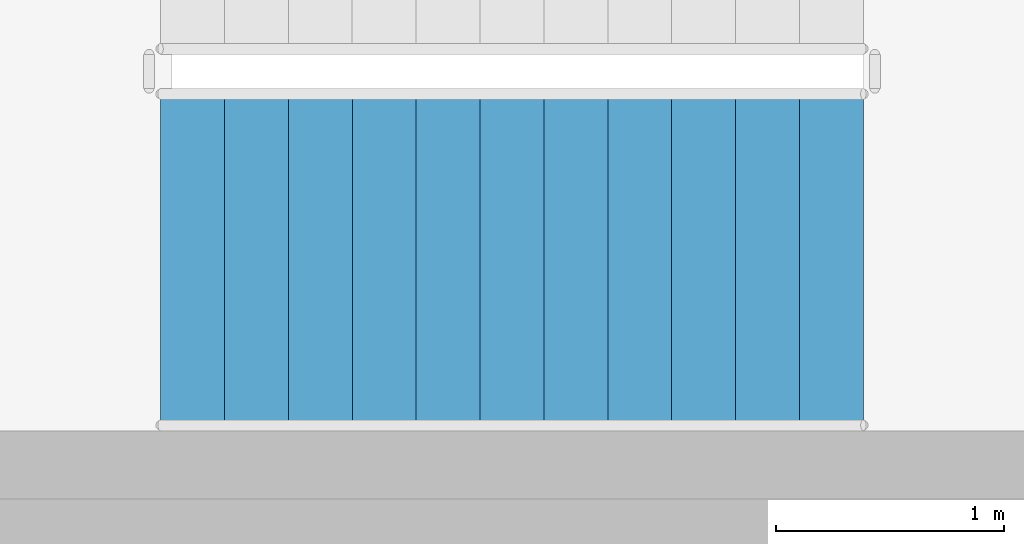
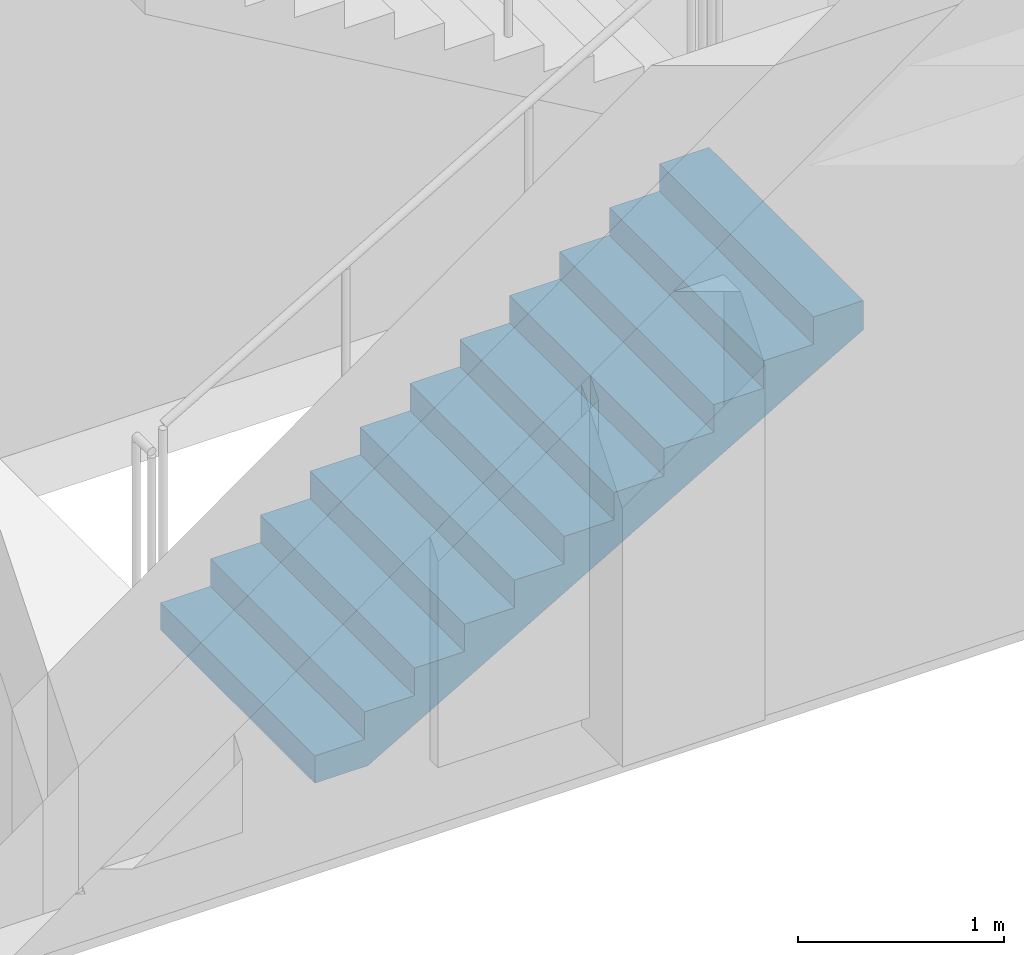
# One storey, part 13 of 17: 1 stair flight, 1 element without a shape of its own.
"""IFC4 building model written with IfcOpenShell, lengths in metres."""

from ifc_helpers import new_model, si_unit, direction, frame, origin, place, context, subcontext, project, spatial, triangles, material, type_object, element, aggregate, save


model = new_model("IFC4")

# Units and contexts
model_context = context("Model", 3, precision=1e-05, world=origin(), true_north=direction((0.0, 1.0)))
body_context = subcontext(model_context, "Body", "Model", "MODEL_VIEW")
ifc_project = project(units=[si_unit("LENGTHUNIT", "METRE"), si_unit("AREAUNIT", "SQUARE_METRE"), si_unit("VOLUMEUNIT", "CUBIC_METRE"), si_unit("PLANEANGLEUNIT", "RADIAN"), si_unit("MASSUNIT", "GRAM", prefix="KILO")], contexts=[model_context])

# Site, building, storey
site_placement = place(None, origin())
site = spatial("IfcSite", under=ifc_project, at=site_placement, CompositionType="ELEMENT")
building_placement = place(site_placement, origin())
building = spatial("IfcBuilding", under=site, at=building_placement, Name="Magnolia Steps Interchange", CompositionType="ELEMENT")
storey_placement = place(building_placement, frame((0.0, 0.0, 20.39990234375)))
storey = spatial("IfcBuildingStorey", under=building, at=storey_placement, Name="L05", CompositionType="ELEMENT", Elevation=20.39990234375)

# Stair, stair flight
ifc_material_1 = material(Name="Concrete C40", Category="concrete")
stair_type = type_object("IfcStairType", Name="Exit stair 1500", PredefinedType="HALF_TURN_STAIR", material=ifc_material_1)
stair_placement = place(storey_placement, origin())
stair = element("IfcStair", 1, at=stair_placement, inside=storey, type_object=stair_type, Name="L05 Stair 29", PredefinedType="HALF_TURN_STAIR")
ifc_material_2 = material(Name="Concrete C40", Category="concrete")
stair_flight_type = type_object("IfcStairFlightType", Name="Exit stair flight", PredefinedType="STRAIGHT", material=ifc_material_2)
stair_flight_placement = place(storey_placement, frame((112.85009765625, 97.60009765625, 0.0), z_axis=(0.0, 0.0, 1.0), x_axis=(1.0, 0.0, 0.0)))
stair_flight = element("IfcStairFlight", 2, at=stair_flight_placement, type_object=stair_flight_type, Name="Stair 29 flight 1", NumberOfRisers=12, NumberOfTreads=11, PredefinedType="STRAIGHT", RiserHeight=0.1625, TreadLength=0.28, context=body_context, shape_type="Tessellation", body=[
    triangles([(0.0, -0.75, 0.0), (0.298583984375, -0.75, 0.0), (3.080078125, -0.75, 1.6142578125), (3.080078125, -0.75, 1.78759765625), (2.800048828125, -0.75, 1.78759765625), (2.800048828125, -0.75, 1.625), (2.52001953125, -0.75, 1.625), (2.52001953125, -0.75, 1.46240234375), (2.239990234375, -0.75, 1.46240234375), (2.239990234375, -0.75, 1.300048828125), (1.9599609375, -0.75, 1.300048828125), (1.9599609375, -0.75, 1.137451171875), (1.679931640625, -0.75, 1.137451171875), (1.679931640625, -0.75, 0.97509765625), (1.39990234375, -0.75, 0.97509765625), (1.39990234375, -0.75, 0.8125), (1.1201171875, -0.75, 0.8125), (1.1201171875, -0.75, 0.64990234375), (0.840087890625, -0.75, 0.64990234375), (0.840087890625, -0.75, 0.487548828125), (0.56005859375, -0.75, 0.487548828125), (0.56005859375, -0.75, 0.324951171875), (0.280029296875, -0.75, 0.324951171875), (0.280029296875, -0.75, 0.16259765625), (0.0, -0.75, 0.16259765625), (0.0, 0.75, 0.0), (0.298583984375, 0.75, 0.0), (3.080078125, 0.75, 1.6142578125), (3.080078125, 0.75, 1.78759765625), (2.800048828125, 0.75, 1.78759765625), (2.800048828125, 0.75, 1.625), (2.52001953125, 0.75, 1.625), (2.52001953125, 0.75, 1.46240234375), (2.239990234375, 0.75, 1.46240234375), (2.239990234375, 0.75, 1.300048828125), (1.9599609375, 0.75, 1.300048828125), (1.9599609375, 0.75, 1.137451171875), (1.679931640625, 0.75, 1.137451171875), (1.679931640625, 0.75, 0.97509765625), (1.39990234375, 0.75, 0.97509765625), (1.39990234375, 0.75, 0.8125), (1.1201171875, 0.75, 0.8125), (1.1201171875, 0.75, 0.64990234375), (0.840087890625, 0.75, 0.64990234375), (0.840087890625, 0.75, 0.487548828125), (0.56005859375, 0.75, 0.487548828125), (0.56005859375, 0.75, 0.324951171875), (0.280029296875, 0.75, 0.324951171875), (0.280029296875, 0.75, 0.16259765625), (0.0, 0.75, 0.16259765625), (0.0, 0.0, 0.0), (0.0, 0.0, 0.0406494140625), (0.0, 0.0, 0.081298828125), (0.0, 0.0, 0.1219482421875), (0.0, 0.0, 0.16259765625), (0.0, -0.05, 0.0), (0.0, -0.05, 0.16259765625), (0.0, 0.05, 0.0), (0.0, 0.05, 0.16259765625), (0.046671549479166664, 0.0, 0.16259765625), (0.09334309895833333, 0.0, 0.16259765625), (0.1400146484375, 0.0, 0.16259765625), (0.18668619791666666, 0.0, 0.16259765625), (0.23335774739583334, 0.0, 0.16259765625), (0.280029296875, 0.0, 0.16259765625), (0.280029296875, -0.05, 0.16259765625), (0.280029296875, 0.05, 0.16259765625), (0.280029296875, 0.0, 0.20318603515625), (0.280029296875, 0.0, 0.2437744140625), (0.280029296875, 0.0, 0.28436279296875), (0.280029296875, 0.0, 0.324951171875), (0.280029296875, -0.05, 0.324951171875), (0.280029296875, 0.05, 0.324951171875), (0.3267008463541667, 0.0, 0.324951171875), (0.3733723958333333, 0.0, 0.324951171875), (0.4200439453125, 0.0, 0.324951171875), (0.46671549479166663, 0.0, 0.324951171875), (0.5133870442708334, 0.0, 0.324951171875), (0.56005859375, 0.0, 0.324951171875), (0.56005859375, -0.05, 0.324951171875), (0.56005859375, 0.05, 0.324951171875), (0.56005859375, 0.0, 0.3656005859375), (0.56005859375, 0.0, 0.40625), (0.56005859375, 0.0, 0.4468994140625), (0.56005859375, 0.0, 0.487548828125), (0.56005859375, -0.05, 0.487548828125), (0.56005859375, 0.05, 0.487548828125), (0.6067301432291666, 0.0, 0.487548828125), (0.6534016927083334, 0.0, 0.487548828125), (0.7000732421875, 0.0, 0.487548828125), (0.7467447916666666, 0.0, 0.487548828125), (0.7934163411458334, 0.0, 0.487548828125), (0.840087890625, 0.0, 0.487548828125), (0.840087890625, -0.05, 0.487548828125), (0.840087890625, 0.05, 0.487548828125), (0.840087890625, 0.0, 0.52813720703125), (0.840087890625, 0.0, 0.5687255859375), (0.840087890625, 0.0, 0.60931396484375), (0.840087890625, 0.0, 0.64990234375), (0.840087890625, -0.05, 0.64990234375), (0.840087890625, 0.05, 0.64990234375), (0.8867594401041666, 0.0, 0.64990234375), (0.9334309895833334, 0.0, 0.64990234375), (0.9801025390625, 0.0, 0.64990234375), (1.0267740885416667, 0.0, 0.64990234375), (1.0734456380208333, 0.0, 0.64990234375), (1.1201171875, 0.0, 0.64990234375), (1.1201171875, -0.05, 0.64990234375), (1.1201171875, 0.05, 0.64990234375), (1.1201171875, 0.0, 0.6905517578125), (1.1201171875, 0.0, 0.731201171875), (1.1201171875, 0.0, 0.7718505859375), (1.1201171875, 0.0, 0.8125), (1.1201171875, -0.05, 0.8125), (1.1201171875, 0.05, 0.8125), (1.1900634765625, 0.0, 0.8125), (1.260009765625, 0.0, 0.8125), (1.3299560546875, 0.0, 0.8125), (1.39990234375, 0.0, 0.8125), (1.39990234375, -0.05, 0.8125), (1.39990234375, 0.05, 0.8125), (1.39990234375, 0.0, 0.8531494140625), (1.39990234375, 0.0, 0.893798828125), (1.39990234375, 0.0, 0.9344482421875), (1.39990234375, 0.0, 0.97509765625), (1.39990234375, -0.05, 0.97509765625), (1.39990234375, 0.05, 0.97509765625), (1.4465738932291667, 0.0, 0.97509765625), (1.4932454427083333, 0.0, 0.97509765625), (1.5399169921875, 0.0, 0.97509765625), (1.5865885416666667, 0.0, 0.97509765625), (1.6332600911458333, 0.0, 0.97509765625), (1.679931640625, 0.0, 0.97509765625), (1.679931640625, -0.05, 0.97509765625), (1.679931640625, 0.05, 0.97509765625), (1.679931640625, 0.0, 1.01568603515625), (1.679931640625, 0.0, 1.0562744140625), (1.679931640625, 0.0, 1.09686279296875), (1.679931640625, 0.0, 1.137451171875), (1.679931640625, -0.05, 1.137451171875), (1.679931640625, 0.05, 1.137451171875), (1.7266031901041667, 0.0, 1.137451171875), (1.7732747395833333, 0.0, 1.137451171875), (1.8199462890625, 0.0, 1.137451171875), (1.8666178385416667, 0.0, 1.137451171875), (1.9132893880208333, 0.0, 1.137451171875), (1.9599609375, 0.0, 1.137451171875), (1.9599609375, -0.05, 1.137451171875), (1.9599609375, 0.05, 1.137451171875), (1.9599609375, 0.0, 1.1781005859375), (1.9599609375, 0.0, 1.21875), (1.9599609375, 0.0, 1.2593994140625), (1.9599609375, 0.0, 1.300048828125), (1.9599609375, -0.05, 1.300048828125), (1.9599609375, 0.05, 1.300048828125), (2.0066324869791665, 0.0, 1.300048828125), (2.0533040364583335, 0.0, 1.300048828125), (2.0999755859375, 0.0, 1.300048828125), (2.1466471354166665, 0.0, 1.300048828125), (2.1933186848958335, 0.0, 1.300048828125), (2.239990234375, 0.0, 1.300048828125), (2.239990234375, -0.05, 1.300048828125), (2.239990234375, 0.05, 1.300048828125), (2.239990234375, 0.0, 1.34063720703125), (2.239990234375, 0.0, 1.3812255859375), (2.239990234375, 0.0, 1.42181396484375), (2.239990234375, 0.0, 1.46240234375), (2.239990234375, -0.05, 1.46240234375), (2.239990234375, 0.05, 1.46240234375), (2.2866617838541665, 0.0, 1.46240234375), (2.3333333333333335, 0.0, 1.46240234375), (2.3800048828125, 0.0, 1.46240234375), (2.4266764322916665, 0.0, 1.46240234375), (2.4733479817708335, 0.0, 1.46240234375), (2.52001953125, 0.0, 1.46240234375), (2.52001953125, -0.05, 1.46240234375), (2.52001953125, 0.05, 1.46240234375), (2.52001953125, 0.0, 1.5030517578125), (2.52001953125, 0.0, 1.543701171875), (2.52001953125, 0.0, 1.5843505859375), (2.52001953125, 0.0, 1.625), (2.52001953125, -0.05, 1.625), (2.52001953125, 0.05, 1.625), (2.5666910807291665, 0.0, 1.625), (2.6133626302083335, 0.0, 1.625), (2.6600341796875, 0.0, 1.625), (2.7067057291666665, 0.0, 1.625), (2.7533772786458335, 0.0, 1.625), (2.800048828125, 0.0, 1.625), (2.800048828125, -0.05, 1.625), (2.800048828125, 0.05, 1.625), (2.800048828125, 0.0, 1.6656494140625), (2.800048828125, 0.0, 1.706298828125), (2.800048828125, 0.0, 1.7469482421875), (2.800048828125, 0.0, 1.78759765625), (2.800048828125, -0.05, 1.78759765625), (2.800048828125, 0.05, 1.78759765625), (2.8467203776041665, 0.0, 1.78759765625), (2.8933919270833335, 0.0, 1.78759765625), (2.9400634765625, 0.0, 1.78759765625), (2.9867350260416665, 0.0, 1.78759765625), (3.0334065755208335, 0.0, 1.78759765625), (3.080078125, 0.0, 1.78759765625), (3.080078125, -0.05, 1.78759765625), (3.080078125, 0.05, 1.78759765625), (3.080078125, 0.0, 1.7442626953125), (3.080078125, 0.0, 1.700927734375), (3.080078125, 0.0, 1.6575927734375), (3.080078125, 0.0, 1.6142578125), (3.080078125, -0.05, 1.6142578125), (3.080078125, 0.05, 1.6142578125), (3.0196108610733696, 0.0, 1.5791652513586956), (2.9591435971467392, 0.0, 1.5440726902173914), (2.898676333220109, 0.0, 1.508980129076087), (2.8382090692934785, 0.0, 1.4738875679347827), (2.7777418053668477, 0.0, 1.4387950067934783), (2.7172745414402173, 0.0, 1.4037024456521738), (2.656807277513587, 0.0, 1.3686098845108696), (2.5963400135869565, 0.0, 1.3335173233695652), (2.535872749660326, 0.0, 1.2984247622282608), (2.475405485733696, 0.0, 1.2633322010869565), (2.4149382218070654, 0.0, 1.228239639945652), (2.3544709578804346, 0.0, 1.193147078804348), (2.294003693953804, 0.0, 1.1580545176630435), (2.233536430027174, 0.0, 1.1229619565217392), (2.1730691661005435, 0.0, 1.0878693953804348), (2.112601902173913, 0.0, 1.0527768342391304), (2.0521346382472827, 0.0, 1.0176842730978262), (1.991667374320652, 0.0, 0.9825917119565217), (1.9312001103940217, 0.0, 0.9474991508152174), (1.8707328464673914, 0.0, 0.9124065896739131), (1.810265582540761, 0.0, 0.8773140285326086), (1.7497983186141304, 0.0, 0.8422214673913043), (1.6893310546875, 0.0, 0.80712890625), (1.6288637907608696, 0.0, 0.7720363451086957), (1.568396526834239, 0.0, 0.7369437839673914), (1.5079292629076086, 0.0, 0.7018512228260869), (1.4474619989809783, 0.0, 0.6667586616847826), (1.386994735054348, 0.0, 0.6316661005434783), (1.3265274711277173, 0.0, 0.5965735394021738), (1.266060207201087, 0.0, 0.5614809782608696), (1.2055929432744565, 0.0, 0.5263884171195652), (1.1451256793478262, 0.0, 0.491295855978261), (1.0846584154211956, 0.0, 0.45620329483695654), (1.0241911514945654, 0.0, 0.4211107336956521), (0.9637238875679346, 0.0, 0.3860181725543479), (0.9032566236413042, 0.0, 0.35092561141304346), (0.8427893597146738, 0.0, 0.315833050271739), (0.7823220957880435, 0.0, 0.2807404891304348), (0.7218548318614131, 0.0, 0.24564792798913038), (0.6613875679347827, 0.0, 0.21055536684782616), (0.6009203040081523, 0.0, 0.17546280570652173), (0.540453040081522, 0.0, 0.1403702445652173), (0.47998577615489113, 0.0, 0.10527768342391308), (0.41951851222826075, 0.0, 0.07018512228260865), (0.3590512483016304, 0.0, 0.035092561141304435), (0.298583984375, 0.0, 0.0), (0.298583984375, -0.05, 0.0), (0.298583984375, 0.05, 0.0), (0.24881998697916666, 0.0, 0.0), (0.19905598958333331, 0.0, 0.0), (0.1492919921875, 0.0, 0.0), (0.09952799479166666, 0.0, 0.0), (0.04976399739583334, 0.0, 0.0)], [[1, 2, 3], [3, 4, 5], [3, 5, 6], [3, 6, 7], [3, 7, 8], [8, 9, 10], [3, 8, 10], [10, 11, 12], [3, 10, 12], [12, 13, 14], [3, 12, 14], [14, 15, 16], [3, 14, 16], [16, 17, 18], [3, 16, 18], [18, 19, 20], [3, 18, 20], [20, 21, 22], [3, 20, 22], [1, 3, 22], [22, 23, 24], [1, 22, 24], [24, 25, 1], [26, 28, 27], [28, 30, 29], [28, 31, 30], [28, 32, 31], [28, 33, 32], [33, 35, 34], [28, 35, 33], [35, 37, 36], [28, 37, 35], [37, 39, 38], [28, 39, 37], [39, 41, 40], [28, 41, 39], [41, 43, 42], [28, 43, 41], [43, 45, 44], [28, 45, 43], [45, 47, 46], [28, 47, 45], [26, 47, 28], [47, 49, 48], [26, 49, 47], [49, 26, 50], [1, 25, 57], [1, 57, 56], [56, 52, 51], [56, 53, 52], [56, 57, 53], [57, 54, 53], [57, 55, 54], [26, 59, 50], [26, 58, 59], [58, 51, 52], [58, 52, 53], [58, 53, 59], [59, 53, 54], [59, 54, 55], [25, 24, 66], [25, 66, 57], [57, 60, 55], [57, 61, 60], [57, 62, 61], [57, 66, 62], [66, 63, 62], [66, 64, 63], [66, 65, 64], [50, 67, 49], [50, 59, 67], [59, 55, 60], [59, 60, 61], [59, 61, 62], [59, 62, 67], [67, 62, 63], [67, 63, 64], [67, 64, 65], [24, 23, 72], [24, 72, 66], [66, 68, 65], [66, 69, 68], [66, 72, 69], [72, 70, 69], [72, 71, 70], [49, 73, 48], [49, 67, 73], [67, 65, 68], [67, 68, 69], [67, 69, 73], [73, 69, 70], [73, 70, 71], [23, 22, 80], [23, 80, 72], [72, 74, 71], [72, 75, 74], [72, 76, 75], [72, 80, 76], [80, 77, 76], [80, 78, 77], [80, 79, 78], [48, 81, 47], [48, 73, 81], [73, 71, 74], [73, 74, 75], [73, 75, 76], [73, 76, 81], [81, 76, 77], [81, 77, 78], [81, 78, 79], [22, 21, 86], [22, 86, 80], [80, 82, 79], [80, 83, 82], [80, 86, 83], [86, 84, 83], [86, 85, 84], [47, 87, 46], [47, 81, 87], [81, 79, 82], [81, 82, 83], [81, 83, 87], [87, 83, 84], [87, 84, 85], [21, 20, 94], [21, 94, 86], [86, 88, 85], [86, 89, 88], [86, 90, 89], [86, 94, 90], [94, 91, 90], [94, 92, 91], [94, 93, 92], [46, 95, 45], [46, 87, 95], [87, 85, 88], [87, 88, 89], [87, 89, 90], [87, 90, 95], [95, 90, 91], [95, 91, 92], [95, 92, 93], [20, 19, 100], [20, 100, 94], [94, 96, 93], [94, 97, 96], [94, 100, 97], [100, 98, 97], [100, 99, 98], [45, 101, 44], [45, 95, 101], [95, 93, 96], [95, 96, 97], [95, 97, 101], [101, 97, 98], [101, 98, 99], [19, 18, 108], [19, 108, 100], [100, 102, 99], [100, 103, 102], [100, 104, 103], [100, 108, 104], [108, 105, 104], [108, 106, 105], [108, 107, 106], [44, 109, 43], [44, 101, 109], [101, 99, 102], [101, 102, 103], [101, 103, 104], [101, 104, 109], [109, 104, 105], [109, 105, 106], [109, 106, 107], [18, 17, 114], [18, 114, 108], [108, 110, 107], [108, 111, 110], [108, 114, 111], [114, 112, 111], [114, 113, 112], [43, 115, 42], [43, 109, 115], [109, 107, 110], [109, 110, 111], [109, 111, 115], [115, 111, 112], [115, 112, 113], [17, 16, 120], [17, 120, 114], [114, 116, 113], [114, 117, 116], [114, 120, 117], [120, 118, 117], [120, 119, 118], [42, 121, 41], [42, 115, 121], [115, 113, 116], [115, 116, 117], [115, 117, 121], [121, 117, 118], [121, 118, 119], [16, 15, 126], [16, 126, 120], [120, 122, 119], [120, 123, 122], [120, 126, 123], [126, 124, 123], [126, 125, 124], [41, 127, 40], [41, 121, 127], [121, 119, 122], [121, 122, 123], [121, 123, 127], [127, 123, 124], [127, 124, 125], [15, 14, 134], [15, 134, 126], [126, 128, 125], [126, 129, 128], [126, 130, 129], [126, 134, 130], [134, 131, 130], [134, 132, 131], [134, 133, 132], [40, 135, 39], [40, 127, 135], [127, 125, 128], [127, 128, 129], [127, 129, 130], [127, 130, 135], [135, 130, 131], [135, 131, 132], [135, 132, 133], [14, 13, 140], [14, 140, 134], [134, 136, 133], [134, 137, 136], [134, 140, 137], [140, 138, 137], [140, 139, 138], [39, 141, 38], [39, 135, 141], [135, 133, 136], [135, 136, 137], [135, 137, 141], [141, 137, 138], [141, 138, 139], [13, 12, 148], [13, 148, 140], [140, 142, 139], [140, 143, 142], [140, 144, 143], [140, 148, 144], [148, 145, 144], [148, 146, 145], [148, 147, 146], [38, 149, 37], [38, 141, 149], [141, 139, 142], [141, 142, 143], [141, 143, 144], [141, 144, 149], [149, 144, 145], [149, 145, 146], [149, 146, 147], [12, 11, 154], [12, 154, 148], [148, 150, 147], [148, 151, 150], [148, 154, 151], [154, 152, 151], [154, 153, 152], [37, 155, 36], [37, 149, 155], [149, 147, 150], [149, 150, 151], [149, 151, 155], [155, 151, 152], [155, 152, 153], [11, 10, 162], [11, 162, 154], [154, 156, 153], [154, 157, 156], [154, 158, 157], [154, 162, 158], [162, 159, 158], [162, 160, 159], [162, 161, 160], [36, 163, 35], [36, 155, 163], [155, 153, 156], [155, 156, 157], [155, 157, 158], [155, 158, 163], [163, 158, 159], [163, 159, 160], [163, 160, 161], [10, 9, 168], [10, 168, 162], [162, 164, 161], [162, 165, 164], [162, 168, 165], [168, 166, 165], [168, 167, 166], [35, 169, 34], [35, 163, 169], [163, 161, 164], [163, 164, 165], [163, 165, 169], [169, 165, 166], [169, 166, 167], [9, 8, 176], [9, 176, 168], [168, 170, 167], [168, 171, 170], [168, 172, 171], [168, 176, 172], [176, 173, 172], [176, 174, 173], [176, 175, 174], [34, 177, 33], [34, 169, 177], [169, 167, 170], [169, 170, 171], [169, 171, 172], [169, 172, 177], [177, 172, 173], [177, 173, 174], [177, 174, 175], [8, 7, 182], [8, 182, 176], [176, 178, 175], [176, 179, 178], [176, 182, 179], [182, 180, 179], [182, 181, 180], [33, 183, 32], [33, 177, 183], [177, 175, 178], [177, 178, 179], [177, 179, 183], [183, 179, 180], [183, 180, 181], [7, 6, 190], [7, 190, 182], [182, 184, 181], [182, 185, 184], [182, 186, 185], [182, 190, 186], [190, 187, 186], [190, 188, 187], [190, 189, 188], [32, 191, 31], [32, 183, 191], [183, 181, 184], [183, 184, 185], [183, 185, 186], [183, 186, 191], [191, 186, 187], [191, 187, 188], [191, 188, 189], [6, 5, 196], [6, 196, 190], [190, 192, 189], [190, 193, 192], [190, 196, 193], [196, 194, 193], [196, 195, 194], [31, 197, 30], [31, 191, 197], [191, 189, 192], [191, 192, 193], [191, 193, 197], [197, 193, 194], [197, 194, 195], [5, 4, 204], [5, 204, 196], [196, 198, 195], [196, 199, 198], [196, 200, 199], [196, 204, 200], [204, 201, 200], [204, 202, 201], [204, 203, 202], [30, 205, 29], [30, 197, 205], [197, 195, 198], [197, 198, 199], [197, 199, 200], [197, 200, 205], [205, 200, 201], [205, 201, 202], [205, 202, 203], [4, 3, 210], [4, 210, 204], [204, 206, 203], [204, 207, 206], [204, 210, 207], [210, 208, 207], [210, 209, 208], [29, 211, 28], [29, 205, 211], [205, 203, 206], [205, 206, 207], [205, 207, 211], [211, 207, 208], [211, 208, 209], [3, 2, 258], [3, 258, 210], [210, 212, 209], [210, 213, 212], [210, 214, 213], [210, 215, 214], [210, 216, 215], [210, 217, 216], [210, 218, 217], [210, 219, 218], [210, 220, 219], [210, 221, 220], [210, 222, 221], [210, 223, 222], [210, 224, 223], [210, 225, 224], [210, 226, 225], [210, 227, 226], [210, 228, 227], [210, 229, 228], [210, 230, 229], [210, 231, 230], [210, 232, 231], [210, 233, 232], [210, 234, 233], [210, 258, 234], [258, 235, 234], [258, 236, 235], [258, 237, 236], [258, 238, 237], [258, 239, 238], [258, 240, 239], [258, 241, 240], [258, 242, 241], [258, 243, 242], [258, 244, 243], [258, 245, 244], [258, 246, 245], [258, 247, 246], [258, 248, 247], [258, 249, 248], [258, 250, 249], [258, 251, 250], [258, 252, 251], [258, 253, 252], [258, 254, 253], [258, 255, 254], [258, 256, 255], [258, 257, 256], [28, 259, 27], [28, 211, 259], [211, 209, 212], [211, 212, 213], [211, 213, 214], [211, 214, 215], [211, 215, 216], [211, 216, 217], [211, 217, 218], [211, 218, 219], [211, 219, 220], [211, 220, 221], [211, 221, 222], [211, 222, 223], [211, 223, 224], [211, 224, 225], [211, 225, 226], [211, 226, 227], [211, 227, 228], [211, 228, 229], [211, 229, 230], [211, 230, 231], [211, 231, 232], [211, 232, 233], [211, 233, 234], [211, 234, 259], [259, 234, 235], [259, 235, 236], [259, 236, 237], [259, 237, 238], [259, 238, 239], [259, 239, 240], [259, 240, 241], [259, 241, 242], [259, 242, 243], [259, 243, 244], [259, 244, 245], [259, 245, 246], [259, 246, 247], [259, 247, 248], [259, 248, 249], [259, 249, 250], [259, 250, 251], [259, 251, 252], [259, 252, 253], [259, 253, 254], [259, 254, 255], [259, 255, 256], [259, 256, 257], [2, 1, 56], [2, 56, 258], [258, 260, 257], [258, 261, 260], [258, 262, 261], [258, 56, 262], [56, 263, 262], [56, 264, 263], [56, 51, 264], [27, 58, 26], [27, 259, 58], [259, 257, 260], [259, 260, 261], [259, 261, 262], [259, 262, 58], [58, 262, 263], [58, 263, 264], [58, 264, 51]], closed=True),
])
aggregate(stair, [stair_flight])

save(model, "model.ifc")
